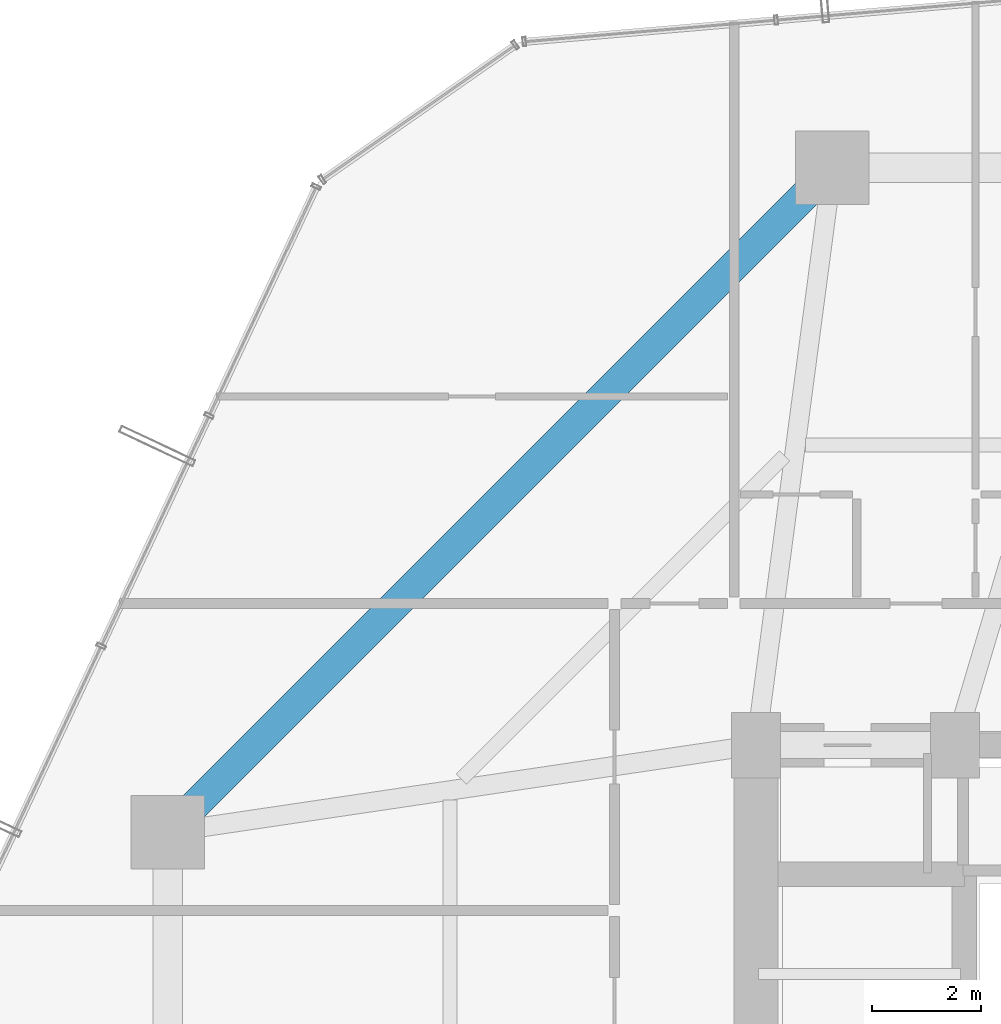
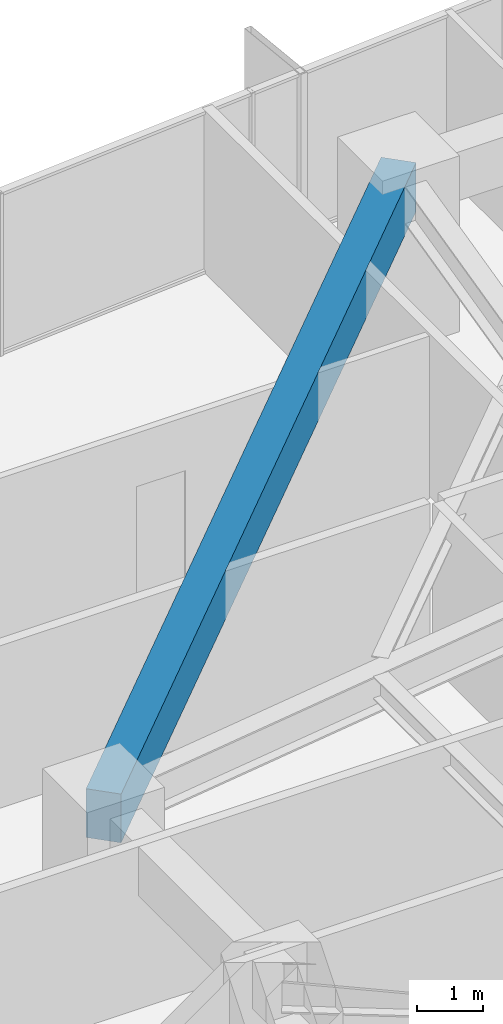
# One storey, part 22 of 37: 1 beam.
"""IFC4 building model written with IfcOpenShell, lengths in metres."""

from ifc_helpers import new_model, si_unit, direction, frame, origin, origin_2d, place, context, subcontext, project, spatial, rectangle, extrude, material, material_profile, profile_set, type_object, element, save


model = new_model("IFC4")

# Units and contexts
model_context = context("Model", 3, precision=1e-05, world=origin(), true_north=direction((0.0, 1.0)))
body_context = subcontext(model_context, "Body", "Model", "MODEL_VIEW")
ifc_project = project(units=[si_unit("LENGTHUNIT", "METRE"), si_unit("AREAUNIT", "SQUARE_METRE"), si_unit("VOLUMEUNIT", "CUBIC_METRE"), si_unit("PLANEANGLEUNIT", "RADIAN"), si_unit("MASSUNIT", "GRAM", prefix="KILO")], contexts=[model_context])

# Site, building, storey
site_placement = place(None, origin())
site = spatial("IfcSite", under=ifc_project, at=site_placement, CompositionType="ELEMENT")
building_placement = place(site_placement, origin())
building = spatial("IfcBuilding", under=site, at=building_placement, Name="Veraguas Prism Commons", CompositionType="ELEMENT")
storey_placement = place(building_placement, frame((0.0, 0.0, 40.300048828125)))
storey = spatial("IfcBuildingStorey", under=building, at=storey_placement, Name="L10", CompositionType="ELEMENT", Elevation=40.300048828125)

# Beam
ifc_material = material(Name="Concrete C50/60", Category="concrete")
ifc_material_profile = material_profile(ifc_material, rectangle(XDim=0.550048828125, YDim=0.89990234375, at=origin_2d()), Name="RC550X900")
ifc_profile_set = profile_set([ifc_material_profile], Name="Concrete C50/60")
beam_type = type_object("IfcBeamType", Name="Perimeter Spandrel Lower RC 550x900", PredefinedType="SPANDREL", material=ifc_profile_set)
beam_placement = place(storey_placement, frame((18.60009765625, 41.60009765625, 2.550048828125), z_axis=(-0.707106781187, -0.707106781187, 0.0), x_axis=(0.707106781187, -0.707106781187, 0.0)))
element("IfcBeam", 1, at=beam_placement, inside=storey, type_object=beam_type, Name="Perimeter Spandrel Beam L10-SP06", PredefinedType="SPANDREL", context=body_context, shape_type="SweptSolid", body=[
    extrude(rectangle(XDim=0.550048828125, YDim=0.89990234375, at=origin_2d()), origin(), (0.0, 0.0, 1.0), 17.253662109375),
])

save(model, "model.ifc")
